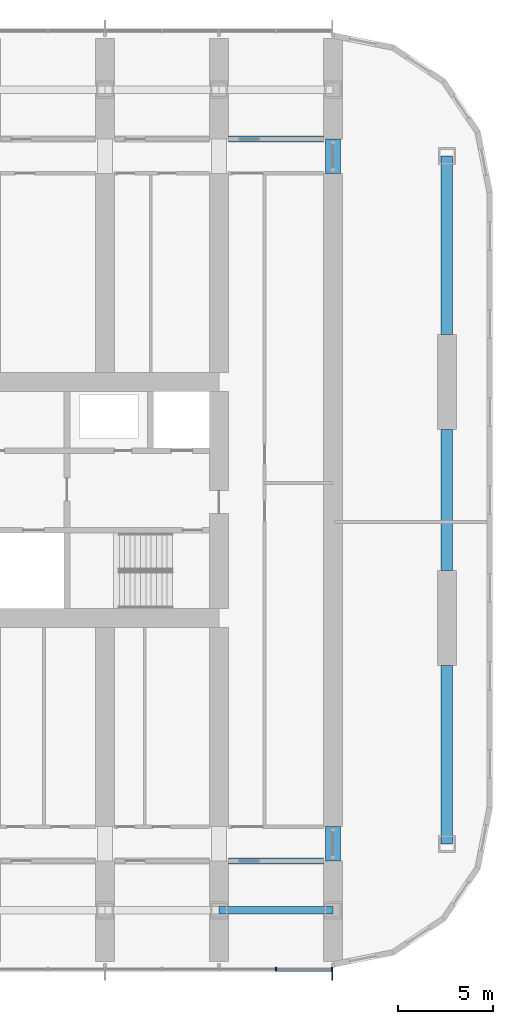
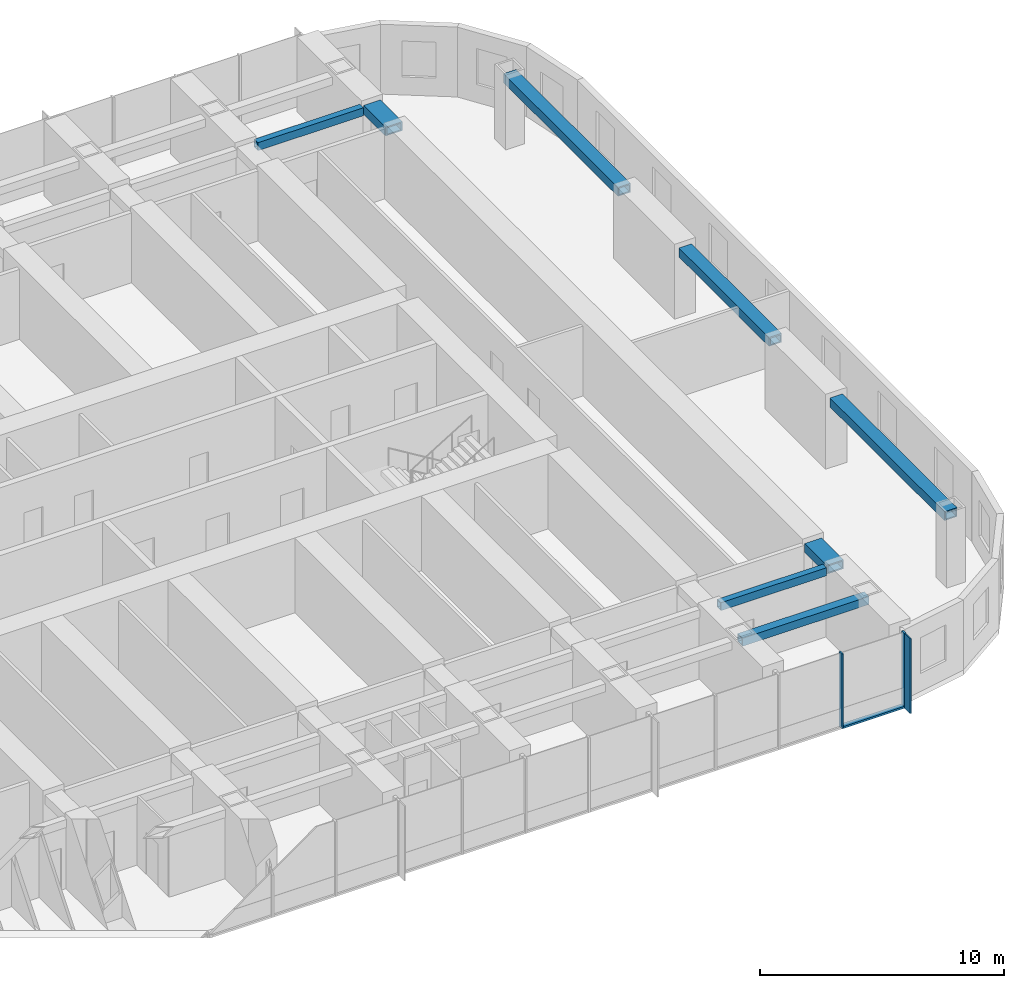
# One storey, part 6 of 22: 8 beams, 4 members, 1 element without a shape of its own.
"""IFC4 building model written with IfcOpenShell, lengths in metres."""

from ifc_helpers import new_model, si_unit, direction, frame, origin, origin_2d, place, context, subcontext, project, spatial, rectangle, hollow_rectangle, extrude, material, material_profile, profile_set, type_object, element, aggregate, save


model = new_model("IFC4")

# Units and contexts
model_context = context("Model", 3, precision=1e-05, world=origin(), true_north=direction((0.0, 1.0)))
body_context = subcontext(model_context, "Body", "Model", "MODEL_VIEW")
ifc_project = project(units=[si_unit("LENGTHUNIT", "METRE"), si_unit("AREAUNIT", "SQUARE_METRE"), si_unit("VOLUMEUNIT", "CUBIC_METRE"), si_unit("PLANEANGLEUNIT", "RADIAN"), si_unit("MASSUNIT", "GRAM", prefix="KILO")], contexts=[model_context])

# Site, building, storey
site_placement = place(None, origin())
site = spatial("IfcSite", under=ifc_project, at=site_placement, CompositionType="ELEMENT")
building_placement = place(site_placement, origin())
building = spatial("IfcBuilding", under=site, at=building_placement, Name="Orbita Commons", CompositionType="ELEMENT")
storey_placement = place(building_placement, frame((0.0, 0.0, 57.699951171875)))
storey = spatial("IfcBuildingStorey", under=building, at=storey_placement, Name="L14", CompositionType="ELEMENT", Elevation=57.699951171875)

# Curtain wall, members
ifc_material_1 = material(Name="Anodised aluminium frame, pale silver", Category="aluminium")
curtain_wall_type = type_object("IfcCurtainWallType", Name="Unitised curtain wall CW-T, vision and spandrel", PredefinedType="NOTDEFINED", material=ifc_material_1)
curtain_wall_placement = place(storey_placement, origin())
curtain_wall = element("IfcCurtainWall", 1, at=curtain_wall_placement, inside=storey, type_object=curtain_wall_type, Name="Curtain wall south L14", PredefinedType="NOTDEFINED")
ifc_material_2 = material(Name="Anodised aluminium, pale silver", Category="aluminium")
ifc_material_profile_1 = material_profile(ifc_material_2, rectangle(XDim=0.080078125, YDim=0.219970703125, at=origin_2d()), Name="AL 80x220")
ifc_profile_set_1 = profile_set([ifc_material_profile_1], Name="Anodised aluminium, pale silver")
member_type_1 = type_object("IfcMemberType", Name="Curtain wall mullion 80x220", PredefinedType="MULLION", material=ifc_profile_set_1)
member_1_placement = place(storey_placement, frame((69.0, 7.2900390625, -0.25), z_axis=(0.0, 0.0, 1.0), x_axis=(1.0, 0.0, 0.0)))
member_1 = element("IfcMember", 2, at=member_1_placement, type_object=member_type_1, Name="Mullion 20 CW-L14-S", PredefinedType="MULLION", context=body_context, shape_type="SweptSolid", body=[
    extrude(rectangle(XDim=0.080078125, YDim=0.219970703125, at=origin_2d()), origin(), (0.0, 0.0, 1.0), 3.75),
])
member_2_placement = place(storey_placement, frame((71.9599609375, 7.2900390625, -0.25), z_axis=(0.0, 0.0, 1.0), x_axis=(1.0, 0.0, 0.0)))
member_2 = element("IfcMember", 3, at=member_2_placement, type_object=member_type_1, Name="Mullion 21 CW-L14-S", PredefinedType="MULLION", context=body_context, shape_type="SweptSolid", body=[
    extrude(rectangle(XDim=0.080078125, YDim=0.219970703125, at=origin_2d()), origin(), (0.0, 0.0, 1.0), 3.75),
])
ifc_material_3 = material(Name="Anodised aluminium, pale silver", Category="aluminium")
ifc_material_profile_2 = material_profile(ifc_material_3, rectangle(XDim=0.219970703125, YDim=0.10009765625, at=origin_2d()), Name="AL 220x100")
ifc_profile_set_2 = profile_set([ifc_material_profile_2], Name="Anodised aluminium, pale silver")
member_type_2 = type_object("IfcMemberType", Name="Curtain wall stack transom 220x100", PredefinedType="USERDEFINED", material=ifc_profile_set_2)
member_3_placement = place(storey_placement, frame((69.0400390625, 7.2900390625, -0.199951171875), z_axis=(1.0, 0.0, 0.0), x_axis=(0.0, 1.0, 0.0)))
member_3 = element("IfcMember", 4, at=member_3_placement, type_object=member_type_2, Name="Transom 20.1 CW-L14-S", ObjectType="TRANSOM", PredefinedType="USERDEFINED", context=body_context, shape_type="SweptSolid", body=[
    extrude(rectangle(XDim=0.219970703125, YDim=0.10009765625, at=origin_2d()), origin(), (0.0, 0.0, 1.0), 2.8798828125),
])

# Beams
ifc_material_4 = material(Name="Steel ASTM A572 Gr 50 welded plate", Category="steel")
ifc_material_profile_3 = material_profile(ifc_material_4, hollow_rectangle(XDim=0.300048828125, YDim=0.39990234375, WallThickness=0.0400390625, at=origin_2d()), Name="BOX 400x300x40")
ifc_profile_set_3 = profile_set([ifc_material_profile_3], Name="Steel ASTM A572 Gr 50 welded plate")
beam_type_1 = type_object("IfcBeamType", Name="Steel corridor link BOX 400x300x40", PredefinedType="BEAM", material=ifc_profile_set_3)
for number, where, z_axis, x_axis, name in (
    (5, (66.5, 13.0, 3.300048828125), (1.0, 0.0, 0.0), (0.0, 1.0, 0.0), "Corridor beam SA 12-13 L14"),
    (6, (66.5, 51.0, 3.300048828125), (1.0, 0.0, 0.0), (0.0, 1.0, 0.0), "Corridor beam NB 12-13 L14"),
):
    element("IfcBeam", number, at=place(storey_placement, frame(where, z_axis=z_axis, x_axis=x_axis)), inside=storey, type_object=beam_type_1, Name=name, PredefinedType="BEAM", context=body_context, shape_type="SweptSolid", body=[
        extrude(hollow_rectangle(XDim=0.300048828125, YDim=0.39990234375, WallThickness=0.0400390625, at=origin_2d()), origin(), (0.0, 0.0, 1.0), 5.0),
    ])
ifc_material_5 = material(Name="Steel ASTM A572 Gr 50 welded plate", Category="steel")
ifc_material_profile_4 = material_profile(ifc_material_5, hollow_rectangle(XDim=0.800048828125, YDim=0.449951171875, WallThickness=0.06005859375, at=origin_2d()), Name="BOX 450x800x60")
ifc_profile_set_4 = profile_set([ifc_material_profile_4], Name="Steel ASTM A572 Gr 50 welded plate")
beam_type_2 = type_object("IfcBeamType", Name="Steel coupling link BOX 450x800x60", PredefinedType="LINTEL", material=ifc_profile_set_4)
for number, where, z_axis, x_axis, name in (
    (7, (72.0, 13.0, 3.275146484375), (0.0, 1.0, 0.0), (-1.0, 0.0, 0.0), "Coupling beam 13 south L14"),
    (8, (72.0, 49.199951171875, 3.275146484375), (0.0, 1.0, 0.0), (-1.0, 0.0, 0.0), "Coupling beam 13 north L14"),
):
    element("IfcBeam", number, at=place(storey_placement, frame(where, z_axis=z_axis, x_axis=x_axis)), inside=storey, type_object=beam_type_2, Name=name, PredefinedType="LINTEL", context=body_context, shape_type="SweptSolid", body=[
        extrude(hollow_rectangle(XDim=0.800048828125, YDim=0.449951171875, WallThickness=0.06005859375, at=origin_2d()), origin(), (0.0, 0.0, 1.0), 1.800048828125),
    ])
ifc_material_6 = material(Name="Steel ASTM A572 Gr 50 welded plate", Category="steel")
ifc_material_profile_5 = material_profile(ifc_material_6, hollow_rectangle(XDim=0.60009765625, YDim=0.449951171875, WallThickness=0.06005859375, at=origin_2d()), Name="BOX 450x600x60")
ifc_profile_set_5 = profile_set([ifc_material_profile_5], Name="Steel ASTM A572 Gr 50 welded plate")
beam_type_3 = type_object("IfcBeamType", Name="Steel end frame link BOX 450x600x60", PredefinedType="BEAM", material=ifc_profile_set_5)
beam_1_placement = place(storey_placement, frame((78.0, 13.89990234375, 3.275146484375), z_axis=(0.0, 1.0, 0.0), x_axis=(-1.0, 0.0, 0.0)))
element("IfcBeam", 9, at=beam_1_placement, inside=storey, type_object=beam_type_3, Name="End frame beam 14 B-C L14", PredefinedType="BEAM", context=body_context, shape_type="SweptSolid", body=[
    extrude(hollow_rectangle(XDim=0.60009765625, YDim=0.449951171875, WallThickness=0.06005859375, at=origin_2d()), origin(), (0.0, 0.0, 1.0), 9.400146484375),
])
beam_2_placement = place(storey_placement, frame((78.0, 28.300048828125, 3.275146484375), z_axis=(0.0, 1.0, 0.0), x_axis=(-1.0, 0.0, 0.0)))
element("IfcBeam", 10, at=beam_2_placement, inside=storey, type_object=beam_type_3, Name="End frame beam 14 C-D L14", PredefinedType="BEAM", context=body_context, shape_type="SweptSolid", body=[
    extrude(hollow_rectangle(XDim=0.60009765625, YDim=0.449951171875, WallThickness=0.06005859375, at=origin_2d()), origin(), (0.0, 0.0, 1.0), 7.39990234375),
])
beam_3_placement = place(storey_placement, frame((78.0, 40.699951171875, 3.275146484375), z_axis=(0.0, 1.0, 0.0), x_axis=(-1.0, 0.0, 0.0)))
element("IfcBeam", 11, at=beam_3_placement, inside=storey, type_object=beam_type_3, Name="End frame beam 14 D-E L14", PredefinedType="BEAM", context=body_context, shape_type="SweptSolid", body=[
    extrude(hollow_rectangle(XDim=0.60009765625, YDim=0.449951171875, WallThickness=0.06005859375, at=origin_2d()), origin(), (0.0, 0.0, 1.0), 9.400146484375),
])
ifc_material_7 = material(Name="Steel ASTM A572 Gr 50 welded plate", Category="steel")
ifc_material_profile_6 = material_profile(ifc_material_7, hollow_rectangle(XDim=0.39990234375, YDim=0.39990234375, WallThickness=0.0400390625, at=origin_2d()), Name="BOX 400x400x40")
ifc_profile_set_6 = profile_set([ifc_material_profile_6], Name="Steel ASTM A572 Gr 50 welded plate")
beam_type_4 = type_object("IfcBeamType", Name="Steel spandrel BOX 400x400x40", PredefinedType="SPANDREL", material=ifc_profile_set_6)
beam_4_placement = place(storey_placement, frame((66.0, 10.39990234375, 3.300048828125), z_axis=(1.0, 0.0, 0.0), x_axis=(0.0, 1.0, 0.0)))
element("IfcBeam", 12, at=beam_4_placement, inside=storey, type_object=beam_type_4, Name="Spandrel beam B 12-13 L14", PredefinedType="SPANDREL", context=body_context, shape_type="SweptSolid", body=[
    extrude(hollow_rectangle(XDim=0.39990234375, YDim=0.39990234375, WallThickness=0.0400390625, at=origin_2d()), origin(), (0.0, 0.0, 1.0), 6.0),
])

# Member
ifc_material_8 = material(Name="Anodised aluminium, pale silver", Category="aluminium")
ifc_material_profile_7 = material_profile(ifc_material_8, rectangle(XDim=0.06005859375, YDim=0.449951171875, at=origin_2d()), Name="FIN 60x450")
ifc_profile_set_7 = profile_set([ifc_material_profile_7], Name="Anodised aluminium, pale silver")
member_type_3 = type_object("IfcMemberType", Name="Vertical fin 60x450 pale aluminium", PredefinedType="USERDEFINED", material=ifc_profile_set_7)
member_4_placement = place(storey_placement, frame((71.9599609375, 6.955078125, -0.25), z_axis=(0.0, 0.0, 1.0), x_axis=(1.0, 0.0, 0.0)))
member_4 = element("IfcMember", 13, at=member_4_placement, type_object=member_type_3, Name="Fin 21 CW-L14-S", ObjectType="FIN", PredefinedType="USERDEFINED", context=body_context, shape_type="SweptSolid", body=[
    extrude(rectangle(XDim=0.06005859375, YDim=0.449951171875, at=origin_2d()), origin(), (0.0, 0.0, 1.0), 3.75),
])

aggregate(curtain_wall, [member_1, member_2, member_4, member_3])

save(model, "model.ifc")
